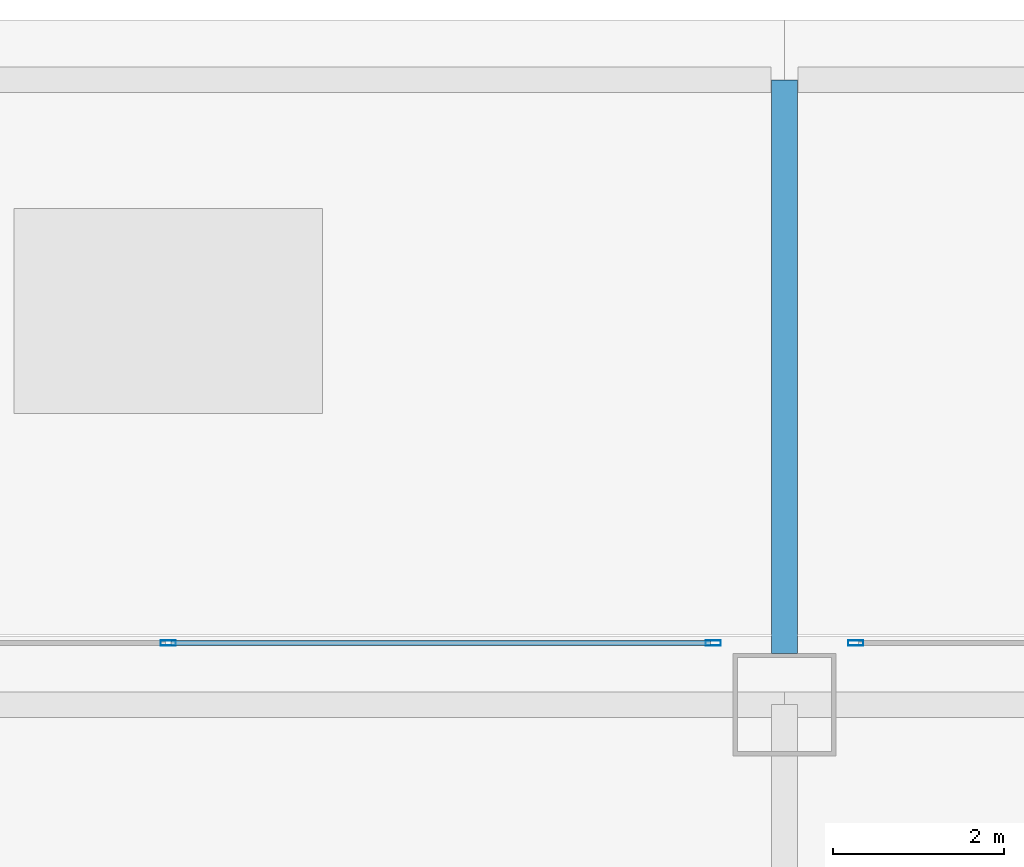
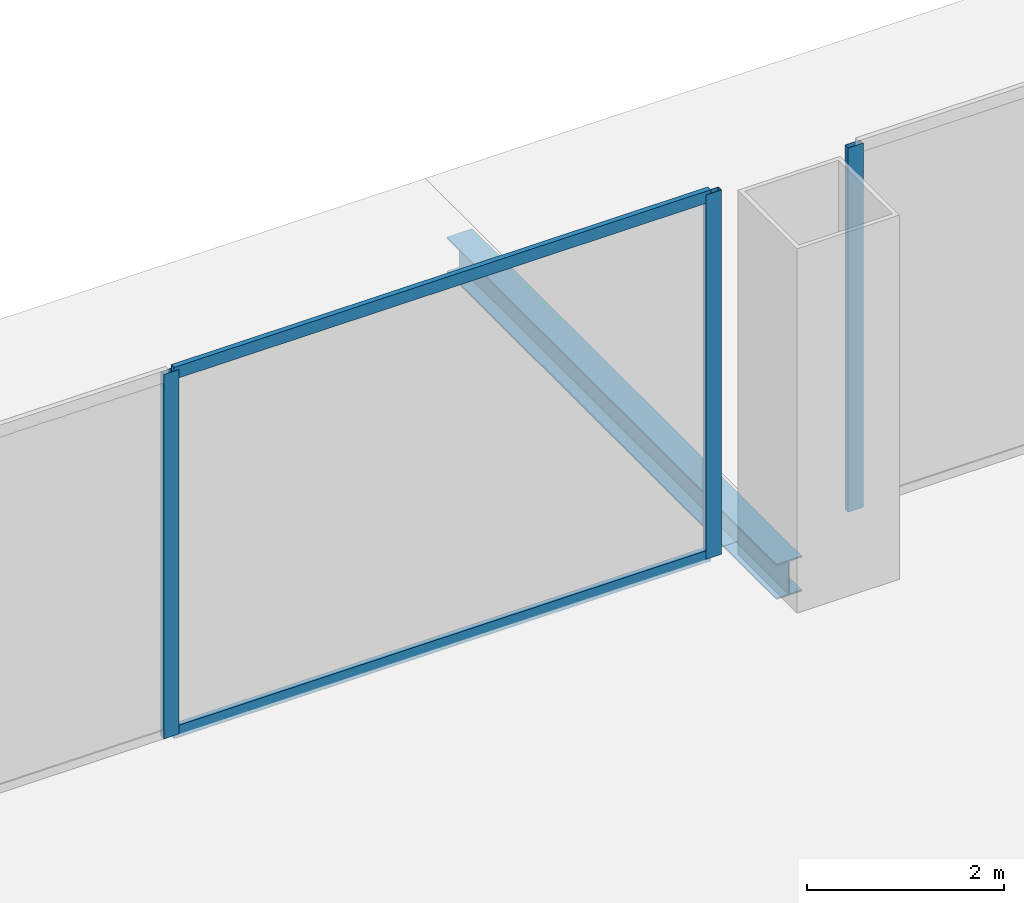
# One storey, part 20 of 42: 5 members, 1 beam, 2 elements without a shape of their own.
"""IFC4 building model written with IfcOpenShell, lengths in metres."""

from ifc_helpers import new_model, si_unit, direction, frame, origin, origin_2d, place, context, subcontext, project, spatial, hollow_rectangle, i_section, extrude, source, transform, mapped, material, layer, layer_set, material_profile, profile_set, type_object, element, aggregate, save


model = new_model("IFC4")

# Units and contexts
model_context = context("Model", 3, precision=1e-05, world=origin(), true_north=direction((0.0, 1.0)))
body_context = subcontext(model_context, "Body", "Model", "MODEL_VIEW")
ifc_project = project(units=[si_unit("LENGTHUNIT", "METRE"), si_unit("AREAUNIT", "SQUARE_METRE"), si_unit("VOLUMEUNIT", "CUBIC_METRE"), si_unit("PLANEANGLEUNIT", "RADIAN"), si_unit("MASSUNIT", "GRAM", prefix="KILO"), si_unit("THERMODYNAMICTEMPERATUREUNIT", "KELVIN"), si_unit("POWERUNIT", "WATT")], contexts=[model_context])

# Site, building, storey
site_placement = place(None, origin())
site = spatial("IfcSite", under=ifc_project, at=site_placement, CompositionType="ELEMENT")
building_placement = place(site_placement, origin())
building = spatial("IfcBuilding", under=site, at=building_placement, Name="Yunzhuo Pagoda Commons", CompositionType="ELEMENT")
storey_placement = place(building_placement, frame((0.0, 0.0, 4.800048828125)))
storey = spatial("IfcBuildingStorey", under=building, at=storey_placement, Name="L02", CompositionType="ELEMENT", Elevation=4.800048828125)

# Beam
ifc_material_1 = material(Name="Structural steel Q355B", Category="steel")
ifc_material_profile_1 = material_profile(ifc_material_1, i_section(OverallWidth=0.300048828125, OverallDepth=0.43994140625, WebThickness=0.010986328125, FlangeThickness=0.01806640625, at=origin_2d()), Name="Structural steel Q355B")
ifc_profile_set_1 = profile_set([ifc_material_profile_1], Name="Structural steel Q355B")
beam_type = type_object("IfcBeamType", Name="B-SP2 Beam HM 440x300x11x18", PredefinedType="BEAM", material=ifc_profile_set_1)
shared_shape_1 = source(origin(), body_context, "Body", "SweptSolid", [
    extrude(i_section(OverallWidth=0.300048828125, OverallDepth=0.43994140625, WebThickness=0.010986328125, FlangeThickness=0.01806640625, at=origin_2d()), origin(), (0.0, 0.0, 1.0), 6.699951171875),
])
beam_placement = place(storey_placement, frame((33.60009765625, 89.800048828125, -0.5), z_axis=(0.0, 1.0, 0.0), x_axis=(-1.0, 0.0, 0.0)))
element("IfcBeam", 1, at=beam_placement, inside=storey, type_object=beam_type, Name="North canopy girder 2", PredefinedType="BEAM", context=body_context, shape_type="MappedRepresentation", body=[
    mapped(shared_shape_1, transform((0.0, 0.0, 0.0), scale=1.0)),
])

# Curtain wall, members
ifc_material_2 = material(Name="Anodized aluminium 6063-T6", Category="aluminium")
ifc_layer = layer(ifc_material_2, 0.179931640625)
ifc_layer_set = layer_set([ifc_layer], Name="Anodized aluminium 6063-T6")
curtain_wall_type = type_object("IfcCurtainWallType", Name="CW-POD Waterfront Podium Curtain Wall", PredefinedType="NOTDEFINED", material=ifc_layer_set)
curtain_wall_1_placement = place(storey_placement, origin())
curtain_wall_1 = element("IfcCurtainWall", 2, at=curtain_wall_1_placement, inside=storey, type_object=curtain_wall_type, Name="L02 curtain wall CW-L02-N2", PredefinedType="NOTDEFINED")
ifc_material_profile_2 = material_profile(ifc_material_2, hollow_rectangle(XDim=0.06494140625, YDim=0.179931640625, WallThickness=0.00390625, at=origin_2d()), Name="Anodized aluminium 6063-T6")
ifc_profile_set_2 = profile_set([ifc_material_profile_2], Name="Anodized aluminium 6063-T6")
member_type_1 = type_object("IfcMemberType", Name="CW-POD-M Mullion RHS 180x65x4", PredefinedType="MULLION", material=ifc_profile_set_2)
shared_shape_2 = source(origin(), body_context, "Body", "SweptSolid", [
    extrude(hollow_rectangle(XDim=0.06494140625, YDim=0.179931640625, WallThickness=0.00390625, at=origin_2d()), origin(), (0.0, 0.0, 1.0), 4.52001953125),
])
member_1_placement = place(storey_placement, frame((26.39990234375, 89.919921875, 0.0), z_axis=(0.0, 0.0, 1.0), x_axis=(0.0, 1.0, 0.0)))
member_1 = element("IfcMember", 3, at=member_1_placement, type_object=member_type_1, Name="CW mullion 2", PredefinedType="MULLION", context=body_context, shape_type="MappedRepresentation", body=[
    mapped(shared_shape_2, transform((0.0, 0.0, 0.0), scale=1.0)),
])
member_2_placement = place(storey_placement, frame((32.767578125, 89.919921875, 0.0), z_axis=(0.0, 0.0, 1.0), x_axis=(0.0, 1.0, 0.0)))
member_2 = element("IfcMember", 4, at=member_2_placement, type_object=member_type_1, Name="CW mullion 3", PredefinedType="MULLION", context=body_context, shape_type="MappedRepresentation", body=[
    mapped(shared_shape_2, transform((0.0, 0.0, 0.0), scale=1.0)),
])

# Curtain wall, member
curtain_wall_2_placement = place(storey_placement, origin())
curtain_wall_2 = element("IfcCurtainWall", 5, at=curtain_wall_2_placement, inside=storey, type_object=curtain_wall_type, Name="L02 curtain wall CW-L02-N3", PredefinedType="NOTDEFINED")
member_3_placement = place(storey_placement, frame((34.4326171875, 89.919921875, 0.0), z_axis=(0.0, 0.0, 1.0), x_axis=(0.0, 1.0, 0.0)))
member_3 = element("IfcMember", 6, at=member_3_placement, type_object=member_type_1, Name="CW mullion 1", PredefinedType="MULLION", context=body_context, shape_type="MappedRepresentation", body=[
    mapped(shared_shape_2, transform((0.0, 0.0, 0.0), scale=1.0)),
])
aggregate(curtain_wall_2, [member_3])

# Member
ifc_material_profile_3 = material_profile(ifc_material_2, hollow_rectangle(XDim=0.06005859375, YDim=0.14990234375, WallThickness=0.00390625, at=origin_2d()), Name="Anodized aluminium 6063-T6")
ifc_profile_set_3 = profile_set([ifc_material_profile_3], Name="Anodized aluminium 6063-T6")
member_type_2 = type_object("IfcMemberType", Name="CW-POD-T Transom RHS 150x60x4", PredefinedType="USERDEFINED", material=ifc_profile_set_3)
shared_shape_3 = source(origin(), body_context, "Body", "SweptSolid", [
    extrude(hollow_rectangle(XDim=0.06005859375, YDim=0.14990234375, WallThickness=0.00390625, at=origin_2d()), origin(), (0.0, 0.0, 1.0), 6.302490234375),
])
member_4_placement = place(storey_placement, frame((26.4326171875, 89.919921875, 0.030029296875), z_axis=(1.0, 0.0, 0.0), x_axis=(0.0, 1.0, 0.0)))
member_4 = element("IfcMember", 7, at=member_4_placement, type_object=member_type_2, Name="CW transom 2.1", ObjectType="TRANSOM", PredefinedType="USERDEFINED", context=body_context, shape_type="MappedRepresentation", body=[
    mapped(shared_shape_3, transform((0.0, 0.0, 0.0), scale=1.0)),
])

member_5_placement = place(storey_placement, frame((26.4326171875, 89.919921875, 4.489990234375), z_axis=(1.0, 0.0, 0.0), x_axis=(0.0, 1.0, 0.0)))
member_5 = element("IfcMember", 8, at=member_5_placement, type_object=member_type_2, Name="CW transom 2.2", ObjectType="TRANSOM", PredefinedType="USERDEFINED", context=body_context, shape_type="MappedRepresentation", body=[
    mapped(shared_shape_3, transform((0.0, 0.0, 0.0), scale=1.0)),
])

aggregate(curtain_wall_1, [member_1, member_2, member_4, member_5])

save(model, "model.ifc")
